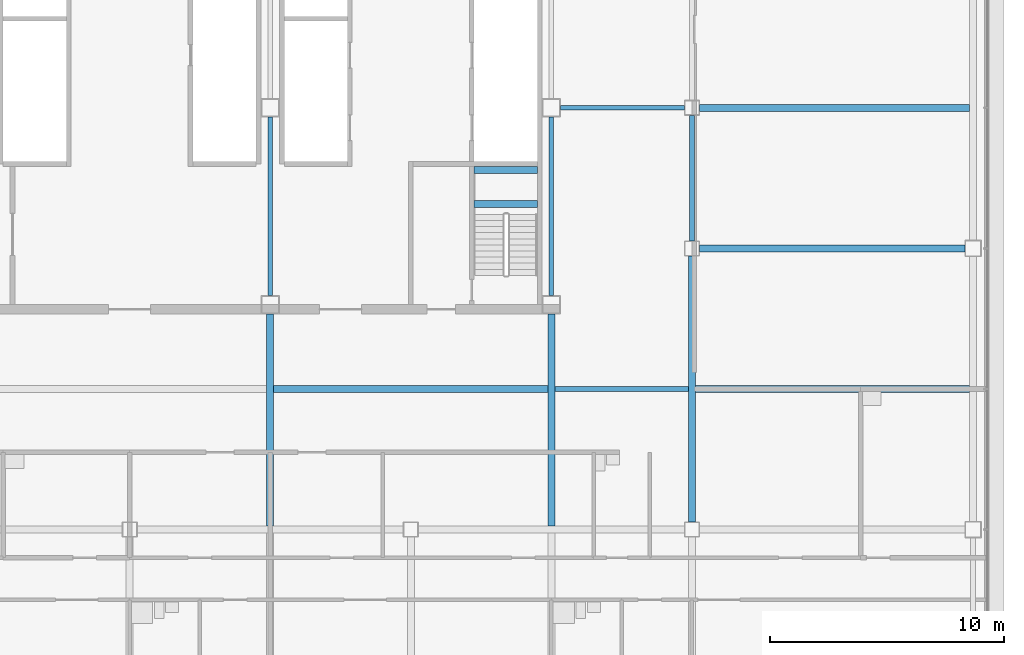
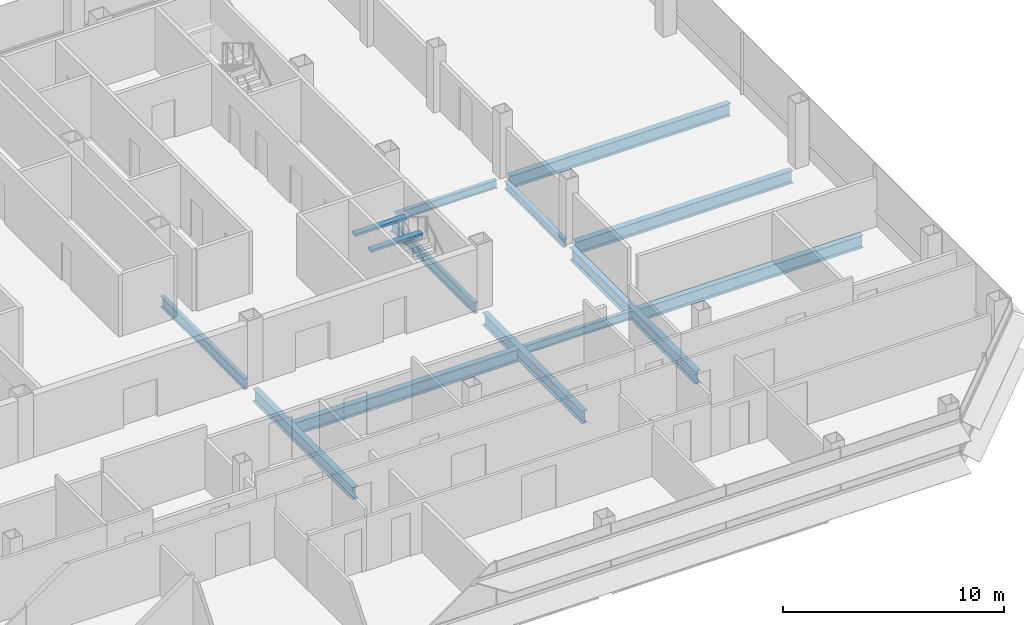
# One storey, part 10 of 24: 14 beams.
"""IFC4 building model written with IfcOpenShell, lengths in metres."""

from ifc_helpers import new_model, si_unit, direction, frame, origin, origin_2d, place, context, subcontext, project, spatial, rectangle, i_section, extrude, material, material_profile, profile_set, type_object, element, save


model = new_model("IFC4")

# Units and contexts
model_context = context("Model", 3, precision=1e-05, world=origin(), true_north=direction((0.0, 1.0)))
body_context = subcontext(model_context, "Body", "Model", "MODEL_VIEW")
ifc_project = project(units=[si_unit("LENGTHUNIT", "METRE"), si_unit("AREAUNIT", "SQUARE_METRE"), si_unit("VOLUMEUNIT", "CUBIC_METRE"), si_unit("PLANEANGLEUNIT", "RADIAN"), si_unit("MASSUNIT", "GRAM", prefix="KILO")], contexts=[model_context])

# Site, building, storey
site_placement = place(None, origin())
site = spatial("IfcSite", under=ifc_project, at=site_placement, CompositionType="ELEMENT")
building_placement = place(site_placement, origin())
building = spatial("IfcBuilding", under=site, at=building_placement, Name="Sorahane Residences", CompositionType="ELEMENT")
storey_placement = place(building_placement, frame((0.0, 0.0, 178.0)))
storey = spatial("IfcBuildingStorey", under=building, at=storey_placement, Name="L41", CompositionType="ELEMENT", Elevation=178.0)

# Beams
ifc_material_1 = material(Name="Concrete C40", Category="concrete")
ifc_material_profile_1 = material_profile(ifc_material_1, rectangle(XDim=0.300048828125, YDim=0.139892578125, at=origin_2d()), Name="300x140")
ifc_profile_set_1 = profile_set([ifc_material_profile_1], Name="Concrete C40")
beam_type_1 = type_object("IfcBeamType", Name="RC landing beam 300 x 140 Concrete C40", PredefinedType="BEAM", material=ifc_profile_set_1)
for number, where, z_axis, x_axis, name in (
    (1, (38.699951171875, 25.89990234375, 1.530029296875), (1.0, 0.0, 0.0), (0.0, 1.0, 0.0), "Landing beam"),
    (2, (38.699951171875, 27.35009765625, 1.530029296875), (1.0, 0.0, 0.0), (0.0, 1.0, 0.0), "Landing beam"),
):
    element("IfcBeam", number, at=place(storey_placement, frame(where, z_axis=z_axis, x_axis=x_axis)), inside=storey, type_object=beam_type_1, Name=name, PredefinedType="BEAM", context=body_context, shape_type="SweptSolid", body=[
        extrude(rectangle(XDim=0.300048828125, YDim=0.139892578125, at=origin_2d()), origin(), (0.0, 0.0, 1.0), 2.699951171875),
    ])
ifc_material_2 = material(Name="Steel Q355B", Category="steel")
ifc_material_profile_2 = material_profile(ifc_material_2, i_section(OverallWidth=0.199951171875, OverallDepth=0.449951171875, WebThickness=0.009033203125, FlangeThickness=0.013916015625, FilletRadius=0.02001953125, at=origin_2d()), Name="HN 450x200x9x14")
ifc_profile_set_2 = profile_set([ifc_material_profile_2], Name="Steel Q355B")
beam_type_2 = type_object("IfcBeamType", Name="Steel floor beam HN 450x200x9x14 Q355B", PredefinedType="BEAM", material=ifc_profile_set_2)
beam_1_placement = place(storey_placement, frame((48.0, 24.324951171875, -0.405029296875), z_axis=(0.0, 1.0, 0.0), x_axis=(-1.0, 0.0, 0.0)))
element("IfcBeam", 3, at=beam_1_placement, inside=storey, type_object=beam_type_2, Name="Beam L41 060", PredefinedType="BEAM", context=body_context, shape_type="SweptSolid", body=[
    extrude(i_section(OverallWidth=0.199951171875, OverallDepth=0.449951171875, WebThickness=0.009033203125, FlangeThickness=0.013916015625, FilletRadius=0.02001953125, at=origin_2d()), origin(), (0.0, 0.0, 1.0), 5.35009765625),
])
beam_2_placement = place(storey_placement, frame((42.14990234375, 18.0, -0.405029296875), z_axis=(1.0, 0.0, 0.0), x_axis=(0.0, 1.0, 0.0)))
element("IfcBeam", 4, at=beam_2_placement, inside=storey, type_object=beam_type_2, Name="Beam L41 083", PredefinedType="BEAM", context=body_context, shape_type="SweptSolid", body=[
    extrude(i_section(OverallWidth=0.199951171875, OverallDepth=0.449951171875, WebThickness=0.009033203125, FlangeThickness=0.013916015625, FilletRadius=0.02001953125, at=origin_2d()), origin(), (0.0, 0.0, 1.0), 5.7001953125),
])
beam_3_placement = place(storey_placement, frame((42.39990234375, 30.0, -0.405029296875), z_axis=(1.0, 0.0, 0.0), x_axis=(0.0, 1.0, 0.0)))
element("IfcBeam", 5, at=beam_3_placement, inside=storey, type_object=beam_type_2, Name="Beam L41 087", PredefinedType="BEAM", context=body_context, shape_type="SweptSolid", body=[
    extrude(i_section(OverallWidth=0.199951171875, OverallDepth=0.449951171875, WebThickness=0.009033203125, FlangeThickness=0.013916015625, FilletRadius=0.02001953125, at=origin_2d()), origin(), (0.0, 0.0, 1.0), 5.275146484375),
])
ifc_material_3 = material(Name="Steel Q355B", Category="steel")
ifc_material_profile_3 = material_profile(ifc_material_3, i_section(OverallWidth=0.199951171875, OverallDepth=0.60009765625, WebThickness=0.010986328125, FlangeThickness=0.01708984375, FilletRadius=0.02392578125, at=origin_2d()), Name="HN 600x200x11x17")
ifc_profile_set_3 = profile_set([ifc_material_profile_3], Name="Steel Q355B")
beam_type_3 = type_object("IfcBeamType", Name="Steel floor beam HN 600x200x11x17 Q355B", PredefinedType="BEAM", material=ifc_profile_set_3)
for number, where, z_axis, x_axis, name in (
    (6, (30.0, 22.0, -0.47998046875), (0.0, 1.0, 0.0), (-1.0, 0.0, 0.0), "Beam L41 046"),
    (7, (42.0, 22.0, -0.47998046875), (0.0, 1.0, 0.0), (-1.0, 0.0, 0.0), "Beam L41 054"),
):
    element("IfcBeam", number, at=place(storey_placement, frame(where, z_axis=z_axis, x_axis=x_axis)), inside=storey, type_object=beam_type_3, Name=name, PredefinedType="BEAM", context=body_context, shape_type="SweptSolid", body=[
        extrude(i_section(OverallWidth=0.199951171875, OverallDepth=0.60009765625, WebThickness=0.010986328125, FlangeThickness=0.01708984375, FilletRadius=0.02392578125, at=origin_2d()), origin(), (0.0, 0.0, 1.0), 7.60009765625),
    ])
ifc_material_4 = material(Name="Steel Q355B", Category="steel")
ifc_material_profile_4 = material_profile(ifc_material_4, i_section(OverallWidth=0.300048828125, OverallDepth=0.699951171875, WebThickness=0.012939453125, FlangeThickness=0.02392578125, FilletRadius=0.028076171875, at=origin_2d()), Name="HN 700x300x13x24")
ifc_profile_set_4 = profile_set([ifc_material_profile_4], Name="Steel Q355B")
beam_type_4 = type_object("IfcBeamType", Name="Steel floor beam HN 700x300x13x24 Q355B", PredefinedType="BEAM", material=ifc_profile_set_4)
beam_4_placement = place(storey_placement, frame((48.324951171875, 24.0, -0.530029296875), z_axis=(1.0, 0.0, 0.0), x_axis=(0.0, 1.0, 0.0)))
element("IfcBeam", 8, at=beam_4_placement, inside=storey, type_object=beam_type_4, Name="Beam L41 012", PredefinedType="BEAM", context=body_context, shape_type="SweptSolid", body=[
    extrude(i_section(OverallWidth=0.300048828125, OverallDepth=0.699951171875, WebThickness=0.012939453125, FlangeThickness=0.02392578125, FilletRadius=0.028076171875, at=origin_2d()), origin(), (0.0, 0.0, 1.0), 11.324951171875),
])
for number, where, z_axis, x_axis, name in (
    (9, (30.0, 12.14990234375, -0.530029296875), (0.0, 1.0, 0.0), (-1.0, 0.0, 0.0), "Beam L41 045"),
    (10, (42.0, 12.14990234375, -0.530029296875), (0.0, 1.0, 0.0), (-1.0, 0.0, 0.0), "Beam L41 053"),
):
    element("IfcBeam", number, at=place(storey_placement, frame(where, z_axis=z_axis, x_axis=x_axis)), inside=storey, type_object=beam_type_4, Name=name, PredefinedType="BEAM", context=body_context, shape_type="SweptSolid", body=[
        extrude(i_section(OverallWidth=0.300048828125, OverallDepth=0.699951171875, WebThickness=0.012939453125, FlangeThickness=0.02392578125, FilletRadius=0.028076171875, at=origin_2d()), origin(), (0.0, 0.0, 1.0), 9.050048828125),
    ])
beam_5_placement = place(storey_placement, frame((48.0, 12.324951171875, -0.530029296875), z_axis=(0.0, 1.0, 0.0), x_axis=(-1.0, 0.0, 0.0)))
element("IfcBeam", 11, at=beam_5_placement, inside=storey, type_object=beam_type_4, Name="Beam L41 059", PredefinedType="BEAM", context=body_context, shape_type="SweptSolid", body=[
    extrude(i_section(OverallWidth=0.300048828125, OverallDepth=0.699951171875, WebThickness=0.012939453125, FlangeThickness=0.02392578125, FilletRadius=0.028076171875, at=origin_2d()), origin(), (0.0, 0.0, 1.0), 11.35009765625),
])
for number, where, z_axis, x_axis, name in (
    (12, (30.14990234375, 18.0, -0.530029296875), (1.0, 0.0, 0.0), (0.0, 1.0, 0.0), "Beam L41 082"),
    (13, (48.14990234375, 18.0, -0.530029296875), (1.0, 0.0, 0.0), (0.0, 1.0, 0.0), "Beam L41 084"),
):
    element("IfcBeam", number, at=place(storey_placement, frame(where, z_axis=z_axis, x_axis=x_axis)), inside=storey, type_object=beam_type_4, Name=name, PredefinedType="BEAM", context=body_context, shape_type="SweptSolid", body=[
        extrude(i_section(OverallWidth=0.300048828125, OverallDepth=0.699951171875, WebThickness=0.012939453125, FlangeThickness=0.02392578125, FilletRadius=0.028076171875, at=origin_2d()), origin(), (0.0, 0.0, 1.0), 11.7001953125),
    ])
beam_6_placement = place(storey_placement, frame((48.324951171875, 30.0, -0.530029296875), z_axis=(1.0, 0.0, 0.0), x_axis=(0.0, 1.0, 0.0)))
element("IfcBeam", 14, at=beam_6_placement, inside=storey, type_object=beam_type_4, Name="Beam L41 088", PredefinedType="BEAM", context=body_context, shape_type="SweptSolid", body=[
    extrude(i_section(OverallWidth=0.300048828125, OverallDepth=0.699951171875, WebThickness=0.012939453125, FlangeThickness=0.02392578125, FilletRadius=0.028076171875, at=origin_2d()), origin(), (0.0, 0.0, 1.0), 11.525146484375),
])

save(model, "model.ifc")
